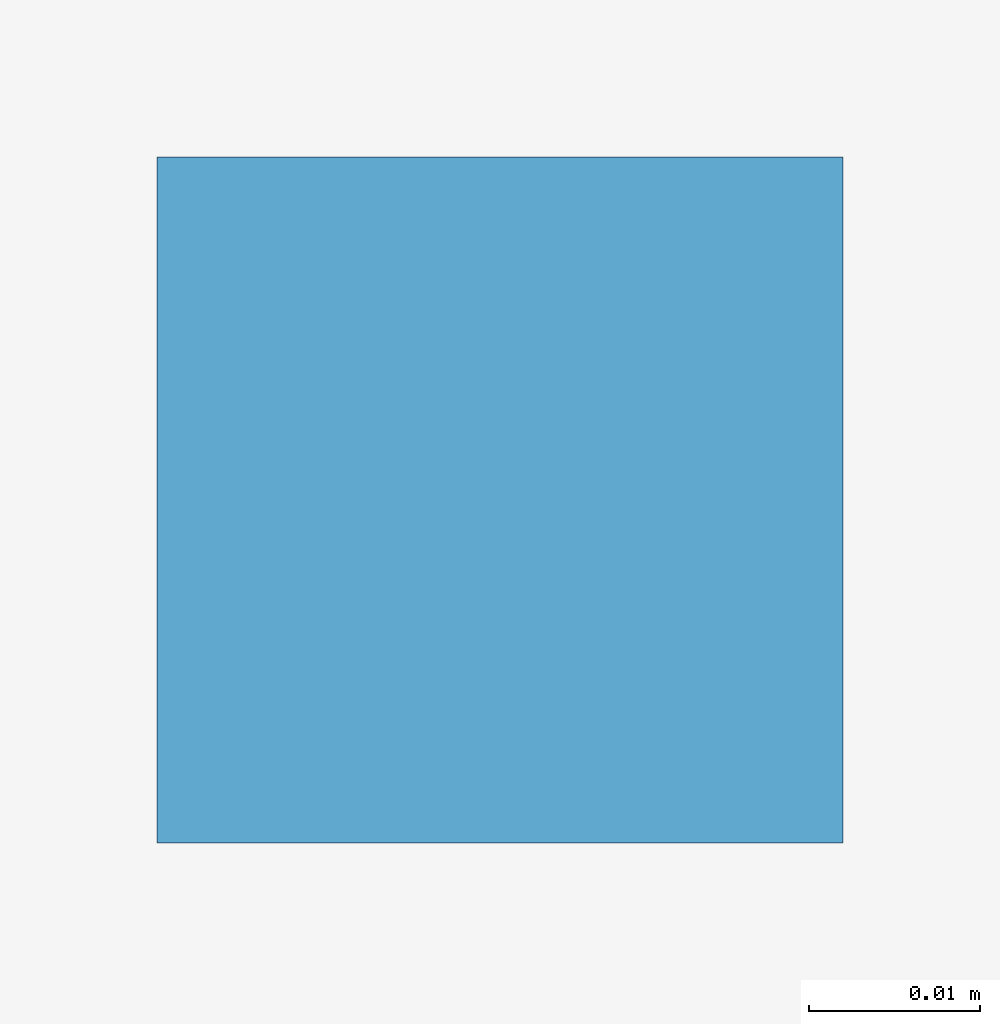
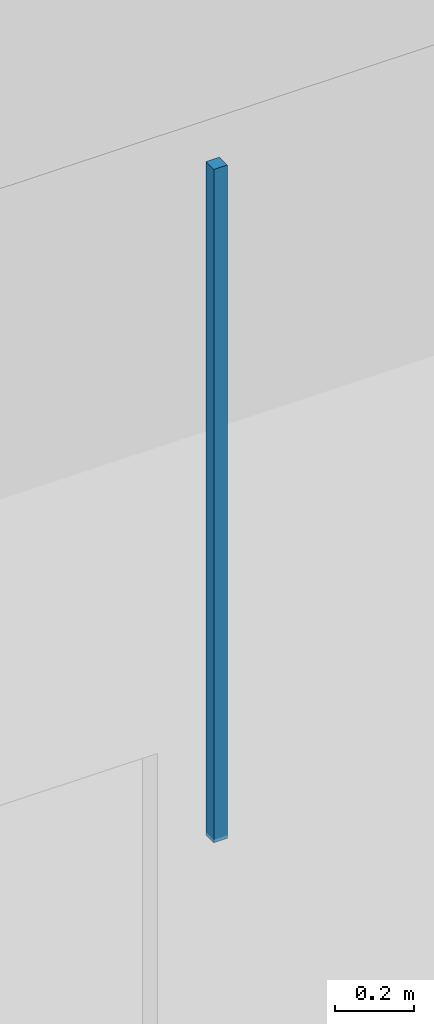
# One storey, part 117 of 167: 1 discrete accessory.
"""IFC4 building model written with IfcOpenShell, lengths in metres."""

from ifc_helpers import new_model, si_unit, direction, frame, origin, origin_2d, place, context, subcontext, project, spatial, rectangle, extrude, material, type_object, element, save


model = new_model("IFC4")

# Units and contexts
model_context = context("Model", 3, precision=1e-05, world=origin(), true_north=direction((0.0, 1.0)))
body_context = subcontext(model_context, "Body", "Model", "MODEL_VIEW")
ifc_project = project(units=[si_unit("LENGTHUNIT", "METRE"), si_unit("AREAUNIT", "SQUARE_METRE"), si_unit("VOLUMEUNIT", "CUBIC_METRE"), si_unit("PLANEANGLEUNIT", "RADIAN"), si_unit("MASSUNIT", "GRAM", prefix="KILO")], contexts=[model_context])

# Site, building, storey
site_placement = place(None, origin())
site = spatial("IfcSite", under=ifc_project, at=site_placement, CompositionType="ELEMENT")
building_placement = place(site_placement, origin())
building = spatial("IfcBuilding", under=site, at=building_placement, Name="Varncliffe General Hospital", CompositionType="ELEMENT")
storey_placement = place(building_placement, origin())
storey = spatial("IfcBuildingStorey", under=building, at=storey_placement, Name="L00", CompositionType="ELEMENT", Elevation=0.0)

# Discrete accessory
ifc_material = material(Name="Powder-coated hospital steel guardrail and handrail", Category="steel")
discrete_accessory_type = type_object("IfcDiscreteAccessoryType", Name="Suspended Ceiling Hanger Bracket CH01", PredefinedType="BRACKET", material=ifc_material)
discrete_accessory_placement = place(storey_placement, frame((97.800048828125, 101.54248046875, 3.18994140625), z_axis=(0.0, 0.0, 1.0), x_axis=(1.0, 0.0, 0.0)))
element("IfcDiscreteAccessory", 1, at=discrete_accessory_placement, inside=storey, type_object=discrete_accessory_type, Name="L00 Suspended Ceiling Hanger 110", PredefinedType="BRACKET", context=body_context, shape_type="SweptSolid", body=[
    extrude(rectangle(XDim=0.0400390625, YDim=0.0400390625, at=origin_2d()), origin(), (0.0, 0.0, 1.0), 2.090087890625),
])

save(model, "model.ifc")
